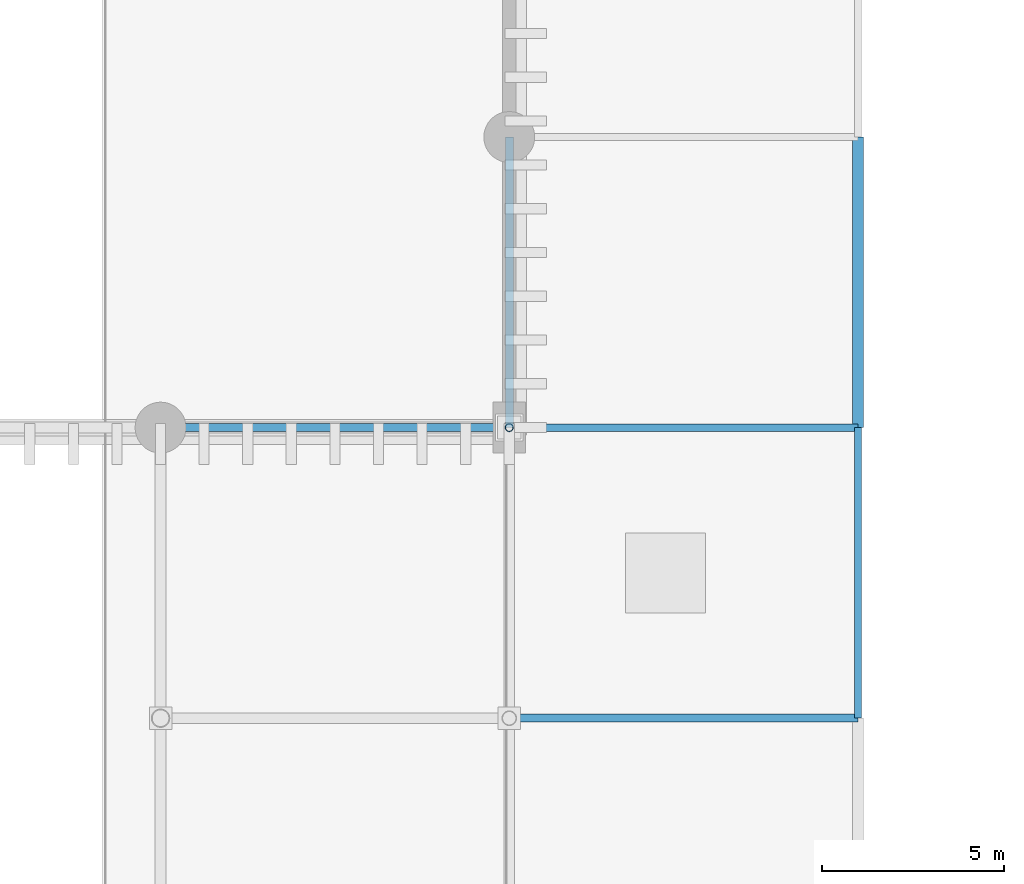
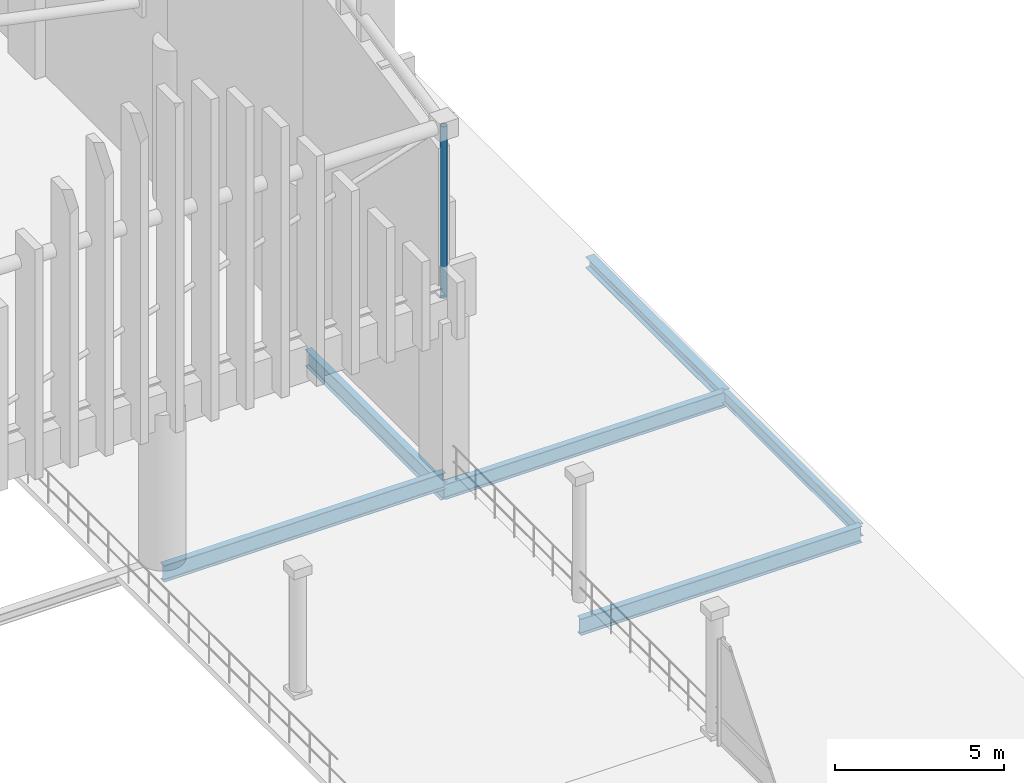
# One storey, part 47 of 193: 6 beams, 1 member.
"""IFC4 building model written with IfcOpenShell, lengths in metres."""

from ifc_helpers import new_model, si_unit, direction, frame, origin, origin_2d, place, context, subcontext, project, spatial, hollow_circle, i_section, extrude, material, material_profile, profile_set, type_object, element, save


model = new_model("IFC4")

# Units and contexts
model_context = context("Model", 3, precision=1e-05, world=origin(), true_north=direction((0.0, 1.0)))
body_context = subcontext(model_context, "Body", "Model", "MODEL_VIEW")
ifc_project = project(units=[si_unit("LENGTHUNIT", "METRE"), si_unit("AREAUNIT", "SQUARE_METRE"), si_unit("VOLUMEUNIT", "CUBIC_METRE"), si_unit("PLANEANGLEUNIT", "RADIAN"), si_unit("MASSUNIT", "GRAM", prefix="KILO")], contexts=[model_context])

# Site, building, storey
site_placement = place(None, origin())
site = spatial("IfcSite", under=ifc_project, at=site_placement, CompositionType="ELEMENT")
building_placement = place(site_placement, origin())
building = spatial("IfcBuilding", under=site, at=building_placement, Name="Danafjord Basin Convention Centre", CompositionType="ELEMENT")
storey_placement = place(building_placement, frame((0.0, 0.0, 11.39990234375)))
storey = spatial("IfcBuildingStorey", under=building, at=storey_placement, Name="L02", CompositionType="ELEMENT", Elevation=11.39990234375)

# Beams
ifc_material = material(Name="Steel S355", Category="steel")
ifc_material_profile_1 = material_profile(ifc_material, i_section(OverallWidth=0.2099609375, OverallDepth=0.550048828125, WebThickness=0.010986328125, FlangeThickness=0.01708984375, FilletRadius=0.02392578125, at=origin_2d()), Name="IPE 550")
ifc_profile_set_1 = profile_set([ifc_material_profile_1], Name="Steel S355")
beam_type_1 = type_object("IfcBeamType", Name="BEAM-BM-IPE550", PredefinedType="BEAM", material=ifc_profile_set_1)
beam_1_placement = place(storey_placement, frame((115.199951171875, 56.0, -0.93994140625), z_axis=(1.0, 0.0, 0.0), x_axis=(0.0, 1.0, 0.0)))
element("IfcBeam", 1, at=beam_1_placement, inside=storey, type_object=beam_type_1, Name="L02 girder BM-IPE550", PredefinedType="BEAM", context=body_context, shape_type="SweptSolid", body=[
    extrude(i_section(OverallWidth=0.2099609375, OverallDepth=0.550048828125, WebThickness=0.010986328125, FlangeThickness=0.01708984375, FilletRadius=0.02392578125, at=origin_2d()), origin(), (0.0, 0.0, 1.0), 9.60009765625),
])
ifc_material_profile_2 = material_profile(ifc_material, i_section(OverallWidth=0.219970703125, OverallDepth=0.60009765625, WebThickness=0.011962890625, FlangeThickness=0.01904296875, FilletRadius=0.02392578125, at=origin_2d()), Name="IPE 600")
ifc_profile_set_2 = profile_set([ifc_material_profile_2], Name="Steel S355")
beam_type_2 = type_object("IfcBeamType", Name="BEAM-BM-IPE600", PredefinedType="BEAM", material=ifc_profile_set_2)
beam_2_placement = place(storey_placement, frame((105.60009765625, 56.0, -0.52978515625), z_axis=(1.0, 0.0, 0.0), x_axis=(0.0, 1.0, 0.0)))
element("IfcBeam", 2, at=beam_2_placement, inside=storey, type_object=beam_type_2, Name="L02 girder BM-IPE600", PredefinedType="BEAM", context=body_context, shape_type="SweptSolid", body=[
    extrude(i_section(OverallWidth=0.219970703125, OverallDepth=0.60009765625, WebThickness=0.011962890625, FlangeThickness=0.01904296875, FilletRadius=0.02392578125, at=origin_2d()), origin(), (0.0, 0.0, 1.0), 9.599853515625),
])
beam_3_placement = place(storey_placement, frame((115.199951171875, 48.0, -0.96484375), z_axis=(1.0, 0.0, 0.0), x_axis=(0.0, 1.0, 0.0)))
element("IfcBeam", 3, at=beam_3_placement, inside=storey, type_object=beam_type_2, Name="L02 girder BM-IPE600", PredefinedType="BEAM", context=body_context, shape_type="SweptSolid", body=[
    extrude(i_section(OverallWidth=0.219970703125, OverallDepth=0.60009765625, WebThickness=0.011962890625, FlangeThickness=0.01904296875, FilletRadius=0.02392578125, at=origin_2d()), origin(), (0.0, 0.0, 1.0), 9.60009765625),
])
beam_4_placement = place(storey_placement, frame((115.199951171875, 56.0, -0.96484375), z_axis=(0.0, 1.0, 0.0), x_axis=(-1.0, 0.0, 0.0)))
element("IfcBeam", 4, at=beam_4_placement, inside=storey, type_object=beam_type_2, Name="L02 transverse girder BM-IPE600", PredefinedType="BEAM", context=body_context, shape_type="SweptSolid", body=[
    extrude(i_section(OverallWidth=0.219970703125, OverallDepth=0.60009765625, WebThickness=0.011962890625, FlangeThickness=0.01904296875, FilletRadius=0.02392578125, at=origin_2d()), origin(), (0.0, 0.0, 1.0), 8.0),
])
ifc_material_profile_3 = material_profile(ifc_material, i_section(OverallWidth=0.300048828125, OverallDepth=0.39990234375, WebThickness=0.013427734375, FlangeThickness=0.02392578125, FilletRadius=0.027099609375, at=origin_2d()), Name="HEB 400")
ifc_profile_set_3 = profile_set([ifc_material_profile_3], Name="Steel S355")
beam_type_3 = type_object("IfcBeamType", Name="BEAM-SP-HEB400", PredefinedType="SPANDREL", material=ifc_profile_set_3)
beam_5_placement = place(storey_placement, frame((124.800048828125, 56.0, -0.864990234375), z_axis=(0.0, 1.0, 0.0), x_axis=(-1.0, 0.0, 0.0)))
element("IfcBeam", 5, at=beam_5_placement, inside=storey, type_object=beam_type_3, Name="L02 transverse girder SP-HEB400", PredefinedType="SPANDREL", context=body_context, shape_type="SweptSolid", body=[
    extrude(i_section(OverallWidth=0.300048828125, OverallDepth=0.39990234375, WebThickness=0.013427734375, FlangeThickness=0.02392578125, FilletRadius=0.027099609375, at=origin_2d()), origin(), (0.0, 0.0, 1.0), 8.0),
])
ifc_material_profile_4 = material_profile(ifc_material, i_section(OverallWidth=0.18994140625, OverallDepth=0.449951171875, WebThickness=0.009521484375, FlangeThickness=0.0146484375, FilletRadius=0.02099609375, at=origin_2d()), Name="IPE 450")
ifc_profile_set_4 = profile_set([ifc_material_profile_4], Name="Steel S355")
beam_type_4 = type_object("IfcBeamType", Name="BEAM-SP-IPE450", PredefinedType="SPANDREL", material=ifc_profile_set_4)
beam_6_placement = place(storey_placement, frame((124.800048828125, 48.0, -0.889892578125), z_axis=(0.0, 1.0, 0.0), x_axis=(-1.0, 0.0, 0.0)))
element("IfcBeam", 6, at=beam_6_placement, inside=storey, type_object=beam_type_4, Name="L02 transverse girder SP-IPE450", PredefinedType="SPANDREL", context=body_context, shape_type="SweptSolid", body=[
    extrude(i_section(OverallWidth=0.18994140625, OverallDepth=0.449951171875, WebThickness=0.009521484375, FlangeThickness=0.0146484375, FilletRadius=0.02099609375, at=origin_2d()), origin(), (0.0, 0.0, 1.0), 8.0),
])

# Member
ifc_material_profile_5 = material_profile(ifc_material, hollow_circle(Radius=0.109619140625, WallThickness=0.010009765625, at=origin_2d()), Name="CHS 219.1x10.0")
ifc_profile_set_5 = profile_set([ifc_material_profile_5], Name="Steel S355")
member_type = type_object("IfcMemberType", Name="MEM-ST-CHS219", PredefinedType="STRUT", material=ifc_profile_set_5)
member_placement = place(storey_placement, frame((115.199951171875, 56.0, 6.050048828125), z_axis=(0.0, 0.0, 1.0), x_axis=(1.0, 0.0, 0.0)))
element("IfcMember", 7, at=member_placement, inside=storey, type_object=member_type, Name="V1 roof truss vertical strut", PredefinedType="STRUT", context=body_context, shape_type="SweptSolid", body=[
    extrude(hollow_circle(Radius=0.109619140625, WallThickness=0.010009765625, at=origin_2d()), origin(), (0.0, 0.0, 1.0), 6.199951171875),
])

save(model, "model.ifc")
